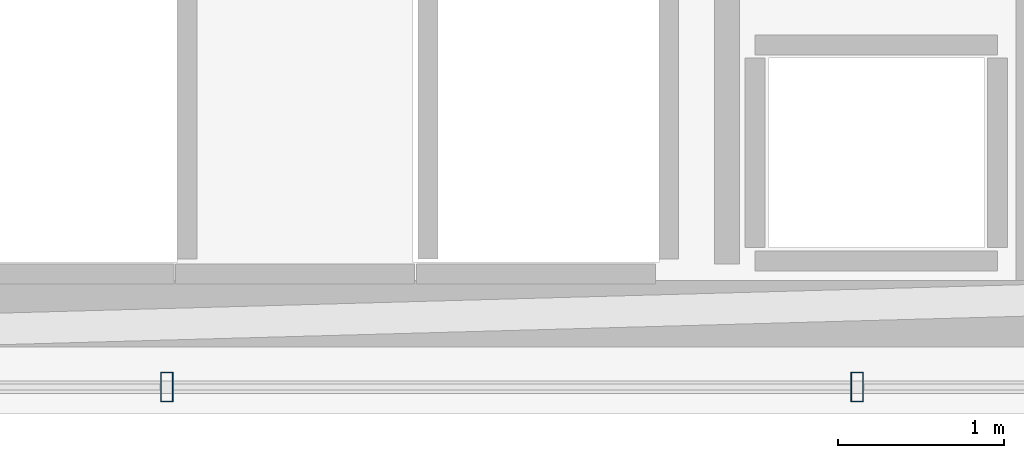
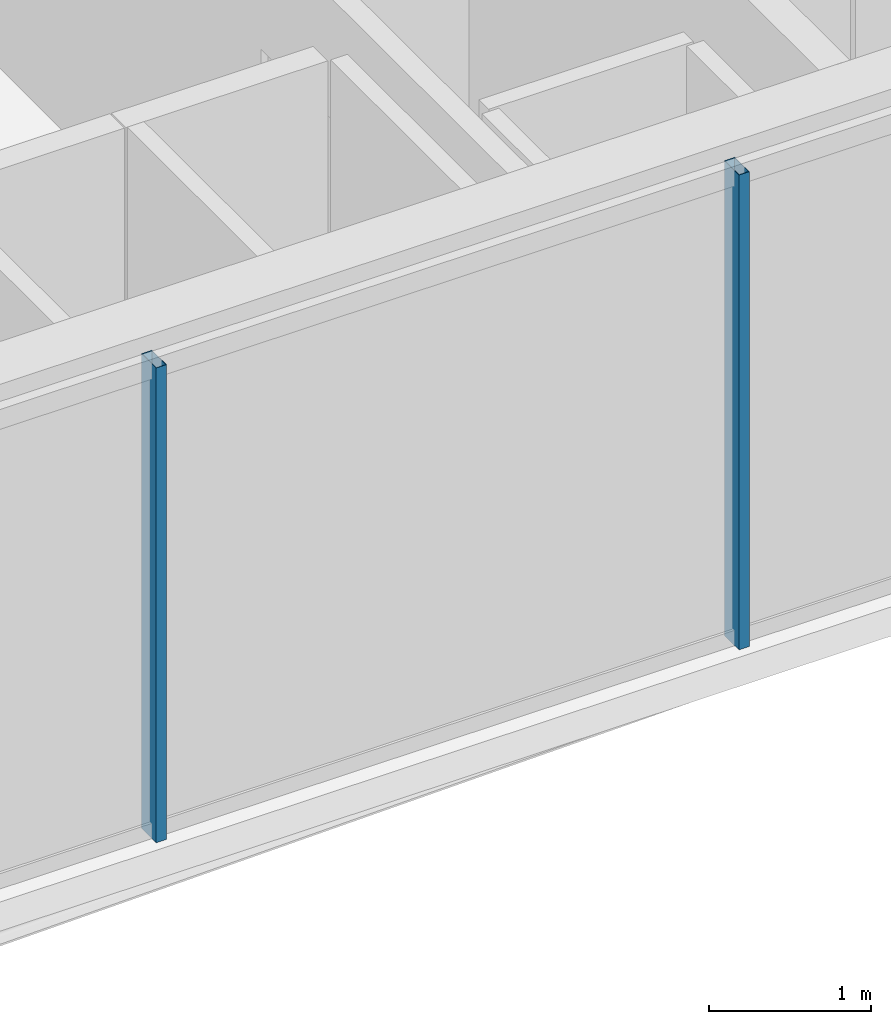
# One storey, part 9 of 35: 2 members, 1 element without a shape of its own.
"""IFC4 building model written with IfcOpenShell, lengths in metres."""

from ifc_helpers import new_model, si_unit, direction, frame, origin, origin_2d, place, context, subcontext, project, spatial, hollow_rectangle, extrude, material, layer, layer_set, material_profile, profile_set, type_object, element, aggregate, save


model = new_model("IFC4")

# Units and contexts
model_context = context("Model", 3, precision=1e-05, world=origin(), true_north=direction((0.0, 1.0)))
body_context = subcontext(model_context, "Body", "Model", "MODEL_VIEW")
ifc_project = project(units=[si_unit("LENGTHUNIT", "METRE"), si_unit("AREAUNIT", "SQUARE_METRE"), si_unit("VOLUMEUNIT", "CUBIC_METRE"), si_unit("PLANEANGLEUNIT", "RADIAN"), si_unit("MASSUNIT", "GRAM", prefix="KILO")], contexts=[model_context])

# Site, building, storey
site_placement = place(None, origin())
site = spatial("IfcSite", under=ifc_project, at=site_placement, CompositionType="ELEMENT")
building_placement = place(site_placement, origin())
building = spatial("IfcBuilding", under=site, at=building_placement, Name="Ndaravel Arena Tower", CompositionType="ELEMENT")
storey_placement = place(building_placement, frame((0.0, 0.0, 176.39990234375)))
storey = spatial("IfcBuildingStorey", under=building, at=storey_placement, Name="L42", CompositionType="ELEMENT", Elevation=176.39990234375)

# Curtain wall, members
ifc_material_1 = material(Name="Aluminium", Category="aluminium")
ifc_layer = layer(ifc_material_1, 0.179931640625)
ifc_layer_set = layer_set([ifc_layer], Name="Aluminium")
curtain_wall_type = type_object("IfcCurtainWallType", Name="CW-SYS-03", PredefinedType="NOTDEFINED", material=ifc_layer_set)
curtain_wall_placement = place(storey_placement, origin())
curtain_wall = element("IfcCurtainWall", 1, at=curtain_wall_placement, inside=storey, type_object=curtain_wall_type, Name="L42 Faceted Crystal Curtain Wall CW-L42-E01", PredefinedType="NOTDEFINED")
ifc_material_2 = material(Name="Aluminium", Category="aluminium")
ifc_material_profile = material_profile(ifc_material_2, hollow_rectangle(XDim=0.074951171875, YDim=0.179931640625, WallThickness=0.00390625, at=origin_2d()), Name="CW MULLION 75x180x4")
ifc_profile_set = profile_set([ifc_material_profile], Name="Aluminium")
member_type = type_object("IfcMemberType", Name="MEM-CW-MUL180", PredefinedType="MULLION", material=ifc_profile_set)
member_1_placement = place(storey_placement, frame((44.078125, 5.159912109375, 0.0), z_axis=(0.0, 0.0, 1.0), x_axis=(1.0, 0.0, 0.0)))
member_1 = element("IfcMember", 2, at=member_1_placement, type_object=member_type, Name="CW-L42-E01 Mullion 05", PredefinedType="MULLION", context=body_context, shape_type="SweptSolid", body=[
    extrude(hollow_rectangle(XDim=0.074951171875, YDim=0.179931640625, WallThickness=0.00390625, at=origin_2d()), origin(), (0.0, 0.0, 1.0), 3.580078125),
])
member_2_placement = place(storey_placement, frame((48.234619140625, 5.159912109375, 0.0), z_axis=(0.0, 0.0, 1.0), x_axis=(1.0, 0.0, 0.0)))
member_2 = element("IfcMember", 3, at=member_2_placement, type_object=member_type, Name="CW-L42-E01 Mullion 06", PredefinedType="MULLION", context=body_context, shape_type="SweptSolid", body=[
    extrude(hollow_rectangle(XDim=0.074951171875, YDim=0.179931640625, WallThickness=0.00390625, at=origin_2d()), origin(), (0.0, 0.0, 1.0), 3.580078125),
])
aggregate(curtain_wall, [member_1, member_2])

save(model, "model.ifc")
